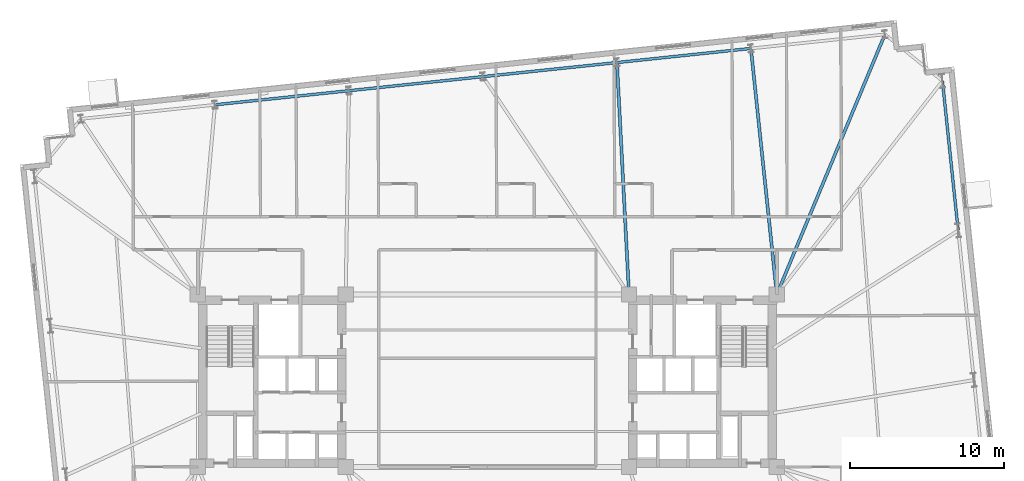
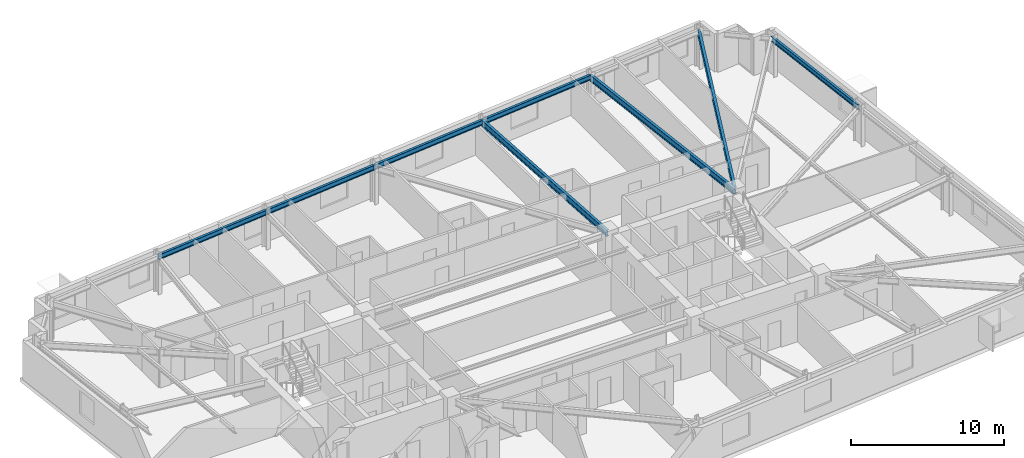
# One storey, part 9 of 19: 8 beams.
"""IFC4 building model written with IfcOpenShell, lengths in metres."""

from ifc_helpers import new_model, si_unit, direction, frame, origin, origin_2d, place, context, subcontext, project, spatial, i_section, extrude, material, material_profile, profile_set, type_object, element, save


model = new_model("IFC4")

# Units and contexts
model_context = context("Model", 3, precision=1e-05, world=origin(), true_north=direction((0.0, 1.0)))
body_context = subcontext(model_context, "Body", "Model", "MODEL_VIEW")
ifc_project = project(units=[si_unit("LENGTHUNIT", "METRE"), si_unit("AREAUNIT", "SQUARE_METRE"), si_unit("VOLUMEUNIT", "CUBIC_METRE"), si_unit("PLANEANGLEUNIT", "RADIAN"), si_unit("MASSUNIT", "GRAM", prefix="KILO")], contexts=[model_context])

# Site, building, storey
site_placement = place(None, origin())
site = spatial("IfcSite", under=ifc_project, at=site_placement, CompositionType="ELEMENT")
building_placement = place(site_placement, origin())
building = spatial("IfcBuilding", under=site, at=building_placement, Name="Qobustan Lattice House", CompositionType="ELEMENT")
storey_placement = place(building_placement, frame((0.0, 0.0, 115.85009765625)))
storey = spatial("IfcBuildingStorey", under=building, at=storey_placement, Name="L32", CompositionType="ELEMENT", Elevation=115.85009765625)

# Beams
ifc_material_1 = material(Name="Steel S355", Category="steel")
ifc_material_profile_1 = material_profile(ifc_material_1, i_section(OverallWidth=0.199951171875, OverallDepth=0.5, WebThickness=0.01025390625, FlangeThickness=0.01611328125, FilletRadius=0.02099609375, at=origin_2d()), Name="IPE500")
ifc_profile_set_1 = profile_set([ifc_material_profile_1], Name="Steel S355")
beam_type_1 = type_object("IfcBeamType", Name="BM-FLG-IPE500", PredefinedType="USERDEFINED", material=ifc_profile_set_1)
beam_1_placement = place(storey_placement, frame((8.41650390625, 20.640625, 2.794921875), z_axis=(0.052023629628, -0.998645854125, 0.0), x_axis=(0.998645854125, 0.052023629628, 0.0)))
element("IfcBeam", 1, at=beam_1_placement, inside=storey, type_object=beam_type_1, Name="L32 primary floor girder RAD-N3", ObjectType="GIRDER", PredefinedType="USERDEFINED", context=body_context, shape_type="SweptSolid", body=[
    extrude(i_section(OverallWidth=0.199951171875, OverallDepth=0.5, WebThickness=0.01025390625, FlangeThickness=0.01611328125, FilletRadius=0.02099609375, at=origin_2d()), origin(), (0.0, 0.0, 1.0), 15.035888671875),
])
beam_2_placement = place(storey_placement, frame((17.1201171875, 21.555419921875, 2.794921875), z_axis=(0.104706999053, -0.994503114298, 0.0), x_axis=(0.994503114298, 0.104706999053, 0.0)))
element("IfcBeam", 2, at=beam_2_placement, inside=storey, type_object=beam_type_1, Name="L32 primary floor girder RAD-N2", ObjectType="GIRDER", PredefinedType="USERDEFINED", context=body_context, shape_type="SweptSolid", body=[
    extrude(i_section(OverallWidth=0.199951171875, OverallDepth=0.5, WebThickness=0.01025390625, FlangeThickness=0.01611328125, FilletRadius=0.02099609375, at=origin_2d()), origin(), (0.0, 0.0, 1.0), 16.0185546875),
])
beam_3_placement = place(storey_placement, frame((25.809814453125, 22.471923828125, 2.794921875), z_axis=(-0.383675501465, -0.923467979724, 0.0), x_axis=(0.923467979724, -0.383675501465, 0.0)))
element("IfcBeam", 3, at=beam_3_placement, inside=storey, type_object=beam_type_1, Name="L32 primary floor girder RAD-N1E", ObjectType="GIRDER", PredefinedType="USERDEFINED", context=body_context, shape_type="SweptSolid", body=[
    extrude(i_section(OverallWidth=0.199951171875, OverallDepth=0.5, WebThickness=0.01025390625, FlangeThickness=0.01611328125, FilletRadius=0.02099609375, at=origin_2d()), origin(), (0.0, 0.0, 1.0), 18.2451171875),
])
ifc_material_2 = material(Name="Steel S355", Category="steel")
ifc_material_profile_2 = material_profile(ifc_material_2, i_section(OverallWidth=0.179931640625, OverallDepth=0.39990234375, WebThickness=0.008544921875, FlangeThickness=0.013427734375, FilletRadius=0.02099609375, at=origin_2d()), Name="IPE400")
ifc_profile_set_2 = profile_set([ifc_material_profile_2], Name="Steel S355")
beam_type_2 = type_object("IfcBeamType", Name="BM-SPD-IPE400", PredefinedType="SPANDREL", material=ifc_profile_set_2)
beam_4_placement = place(storey_placement, frame((30.574462890625, 9.78076171875, 2.844970703125), z_axis=(-0.104525214252, 0.994522236848, 0.0), x_axis=(-0.994522236848, -0.104525214252, 0.0)))
element("IfcBeam", 4, at=beam_4_placement, inside=storey, type_object=beam_type_2, Name="L32 perimeter spandrel E3-E4", PredefinedType="SPANDREL", context=body_context, shape_type="SweptSolid", body=[
    extrude(i_section(OverallWidth=0.179931640625, OverallDepth=0.39990234375, WebThickness=0.008544921875, FlangeThickness=0.013427734375, FilletRadius=0.02099609375, at=origin_2d()), origin(), (0.0, 0.0, 1.0), 9.716552734375),
])
beam_5_placement = place(storey_placement, frame((17.092529296875, 21.577880859375, 2.844970703125), z_axis=(-0.994518668742, -0.104559158006, 0.0), x_axis=(0.104559158006, -0.994518668742, 0.0)))
element("IfcBeam", 5, at=beam_5_placement, inside=storey, type_object=beam_type_2, Name="L32 perimeter spandrel N2-N3", PredefinedType="SPANDREL", context=body_context, shape_type="SweptSolid", body=[
    extrude(i_section(OverallWidth=0.179931640625, OverallDepth=0.39990234375, WebThickness=0.008544921875, FlangeThickness=0.013427734375, FilletRadius=0.02099609375, at=origin_2d()), origin(), (0.0, 0.0, 1.0), 8.699951171875),
])
beam_6_placement = place(storey_placement, frame((8.390380859375, 20.6630859375, 2.844970703125), z_axis=(-0.994521279781, -0.10453432002, 0.0), x_axis=(0.10453432002, -0.994521279781, 0.0)))
element("IfcBeam", 6, at=beam_6_placement, inside=storey, type_object=beam_type_2, Name="L32 perimeter spandrel N3-N4", PredefinedType="SPANDREL", context=body_context, shape_type="SweptSolid", body=[
    extrude(i_section(OverallWidth=0.179931640625, OverallDepth=0.39990234375, WebThickness=0.008544921875, FlangeThickness=0.013427734375, FilletRadius=0.02099609375, at=origin_2d()), origin(), (0.0, 0.0, 1.0), 8.69970703125),
])
for number, where, z_axis, x_axis, name in (
    (7, (-0.3115234375, 19.74853515625, 2.844970703125), (-0.994521586424, -0.104531402636, 0.0), (0.104531402636, -0.994521586424, 0.0), "L32 perimeter spandrel N4-N5"),
    (8, (-9.013671875, 18.833984375, 2.844970703125), (-0.994521586424, -0.104531402636, 0.0), (0.104531402636, -0.994521586424, 0.0), "L32 perimeter spandrel N5-N6"),
):
    element("IfcBeam", number, at=place(storey_placement, frame(where, z_axis=z_axis, x_axis=x_axis)), inside=storey, type_object=beam_type_2, Name=name, PredefinedType="SPANDREL", context=body_context, shape_type="SweptSolid", body=[
        extrude(i_section(OverallWidth=0.179931640625, OverallDepth=0.39990234375, WebThickness=0.008544921875, FlangeThickness=0.013427734375, FilletRadius=0.02099609375, at=origin_2d()), origin(), (0.0, 0.0, 1.0), 8.699951171875),
    ])

save(model, "model.ifc")
